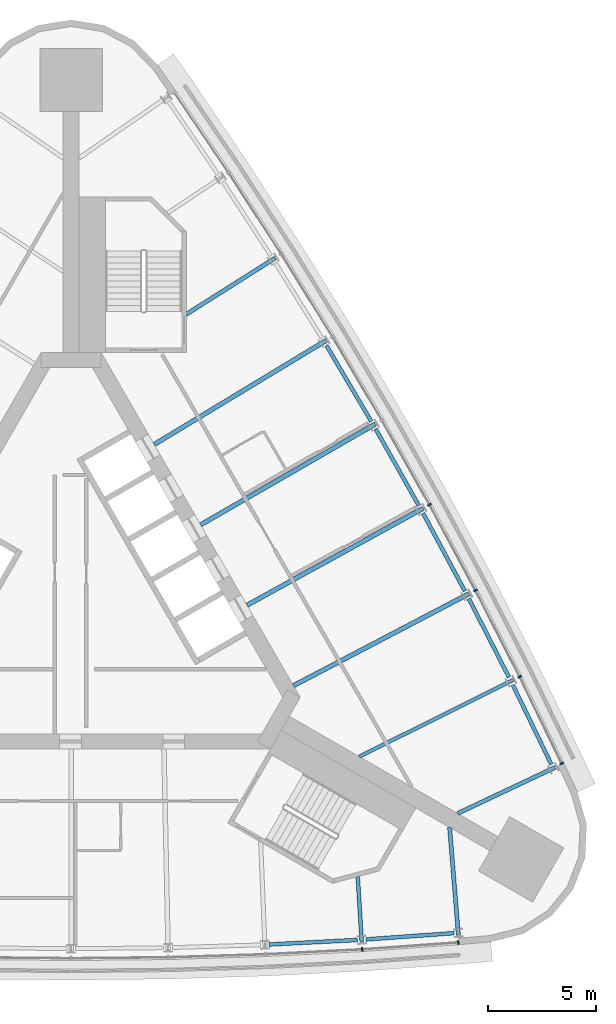
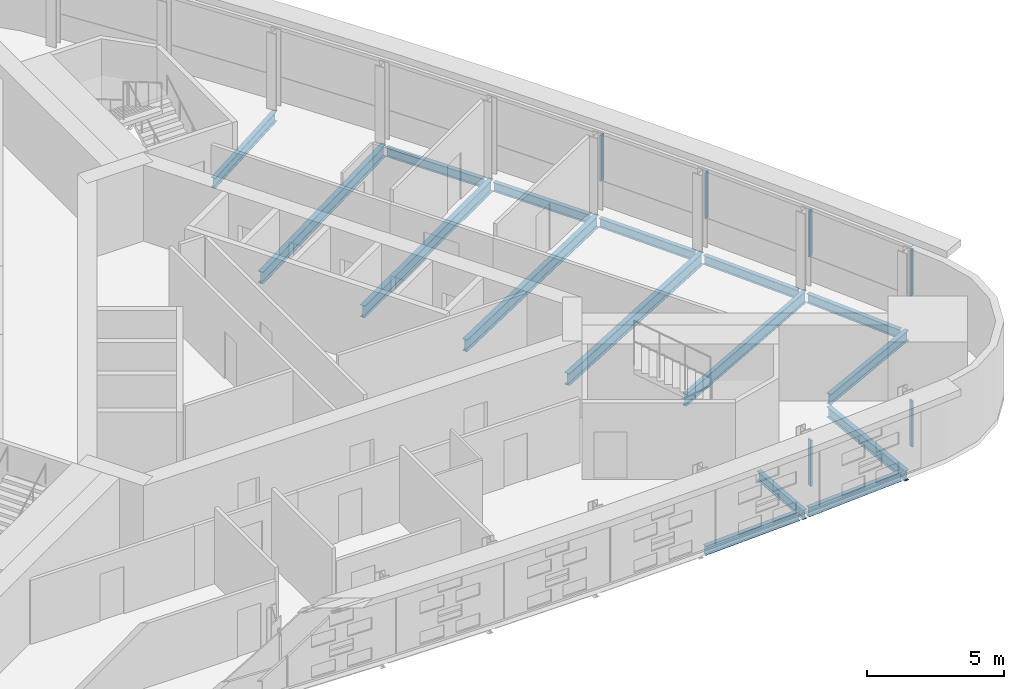
# One storey, part 5 of 13: 16 beams, 6 members, 2 elements without a shape of their own.
"""IFC4 building model written with IfcOpenShell, lengths in metres."""

from ifc_helpers import new_model, si_unit, direction, frame, origin, origin_2d, place, context, subcontext, project, spatial, rectangle, i_section, extrude, material, material_profile, profile_set, type_object, element, aggregate, save


model = new_model("IFC4")

# Units and contexts
model_context = context("Model", 3, precision=1e-05, world=origin(), true_north=direction((0.0, 1.0)))
body_context = subcontext(model_context, "Body", "Model", "MODEL_VIEW")
ifc_project = project(units=[si_unit("LENGTHUNIT", "METRE"), si_unit("AREAUNIT", "SQUARE_METRE"), si_unit("VOLUMEUNIT", "CUBIC_METRE"), si_unit("PLANEANGLEUNIT", "RADIAN"), si_unit("MASSUNIT", "GRAM", prefix="KILO")], contexts=[model_context])

# Site, building, storey
site_placement = place(None, origin())
site = spatial("IfcSite", under=ifc_project, at=site_placement, CompositionType="ELEMENT")
building_placement = place(site_placement, origin())
building = spatial("IfcBuilding", under=site, at=building_placement, Name="Noor Cloister Tower", CompositionType="ELEMENT")
storey_placement = place(building_placement, frame((0.0, 0.0, 143.699951171875)))
storey = spatial("IfcBuildingStorey", under=building, at=storey_placement, Name="L36", CompositionType="ELEMENT", Elevation=143.699951171875)

# Curtain wall, members
ifc_material_1 = material(Name="Aluminium 6063-T6 anodised", Category="aluminium")
curtain_wall_type = type_object("IfcCurtainWallType", Name="Ribbon curtain wall, upper tower CW5", PredefinedType="NOTDEFINED", material=ifc_material_1)
curtain_wall_1_placement = place(storey_placement, origin())
curtain_wall_1 = element("IfcCurtainWall", 1, at=curtain_wall_1_placement, inside=storey, type_object=curtain_wall_type, Name="CW5 L36 S run 2", PredefinedType="NOTDEFINED")
ifc_material_2 = material(Name="Aluminium 6063-T6 anodised", Category="aluminium")
ifc_material_profile_1 = material_profile(ifc_material_2, rectangle(XDim=0.179931640625, YDim=0.070068359375, at=origin_2d()), Name="180 x 70 mullion")
ifc_profile_set_1 = profile_set([ifc_material_profile_1], Name="Aluminium 6063-T6 anodised")
member_type = type_object("IfcMemberType", Name="Mullion CW5 70 x 180", PredefinedType="MULLION", material=ifc_profile_set_1)
member_1_placement = place(storey_placement, frame((13.4853515625, -16.20751953125, 1.10009765625), z_axis=(0.0, 0.0, 1.0), x_axis=(-0.061471387632, 0.99810884602, 0.0)))
member_1 = element("IfcMember", 2, at=member_1_placement, type_object=member_type, Name="CW5 mullion 8", PredefinedType="MULLION", context=body_context, shape_type="SweptSolid", body=[
    extrude(rectangle(XDim=0.179931640625, YDim=0.070068359375, at=origin_2d()), origin(), (0.0, 0.0, 1.0), 2.050048828125),
])
member_2_placement = place(storey_placement, frame((17.937744140625, -15.8876953125, 1.10009765625), z_axis=(0.0, 0.0, 1.0), x_axis=(-0.07170028816, 0.997426222173, 0.0)))
member_2 = element("IfcMember", 3, at=member_2_placement, type_object=member_type, Name="CW5 mullion 9", PredefinedType="MULLION", context=body_context, shape_type="SweptSolid", body=[
    extrude(rectangle(XDim=0.179931640625, YDim=0.070068359375, at=origin_2d()), origin(), (0.0, 0.0, 1.0), 2.050048828125),
])
aggregate(curtain_wall_1, [member_1, member_2])

curtain_wall_2_placement = place(storey_placement, origin())
curtain_wall_2 = element("IfcCurtainWall", 4, at=curtain_wall_2_placement, inside=storey, type_object=curtain_wall_type, Name="CW5 L36 NE run 3", PredefinedType="NOTDEFINED")
member_3_placement = place(storey_placement, frame((22.72802734375, -7.5908203125, 1.10009765625), z_axis=(0.0, 0.0, 1.0), x_axis=(-0.899646590882, -0.436618840081, 0.0)))
member_3 = element("IfcMember", 5, at=member_3_placement, type_object=member_type, Name="CW5 mullion 1", PredefinedType="MULLION", context=body_context, shape_type="SweptSolid", body=[
    extrude(rectangle(XDim=0.179931640625, YDim=0.070068359375, at=origin_2d()), origin(), (0.0, 0.0, 1.0), 2.050048828125),
])
member_4_placement = place(storey_placement, frame((20.77880859375, -3.57470703125, 1.10009765625), z_axis=(0.0, 0.0, 1.0), x_axis=(-0.895123310211, -0.445818639714, 0.0)))
member_4 = element("IfcMember", 6, at=member_4_placement, type_object=member_type, Name="CW5 mullion 2", PredefinedType="MULLION", context=body_context, shape_type="SweptSolid", body=[
    extrude(rectangle(XDim=0.179931640625, YDim=0.070068359375, at=origin_2d()), origin(), (0.0, 0.0, 1.0), 2.050048828125),
])
member_5_placement = place(storey_placement, frame((18.732421875, 0.4306640625, 1.10009765625), z_axis=(0.0, 0.0, 1.0), x_axis=(-0.885795011473, -0.464076715262, 0.0)))
member_5 = element("IfcMember", 7, at=member_5_placement, type_object=member_type, Name="CW5 mullion 3", PredefinedType="MULLION", context=body_context, shape_type="SweptSolid", body=[
    extrude(rectangle(XDim=0.179931640625, YDim=0.070068359375, at=origin_2d()), origin(), (0.0, 0.0, 1.0), 2.050048828125),
])
member_6_placement = place(storey_placement, frame((16.6044921875, 4.39306640625, 1.10009765625), z_axis=(0.0, 0.0, 1.0), x_axis=(-0.876094355533, -0.482139689512, 0.0)))
member_6 = element("IfcMember", 8, at=member_6_placement, type_object=member_type, Name="CW5 mullion 4", PredefinedType="MULLION", context=body_context, shape_type="SweptSolid", body=[
    extrude(rectangle(XDim=0.179931640625, YDim=0.070068359375, at=origin_2d()), origin(), (0.0, 0.0, 1.0), 2.050048828125),
])
aggregate(curtain_wall_2, [member_3, member_4, member_5, member_6])

# Beams
ifc_material_3 = material(Name="Steel ASTM A992 Gr 50", Category="steel")
ifc_material_profile_2 = material_profile(ifc_material_3, i_section(OverallWidth=0.177978515625, OverallDepth=0.406005859375, WebThickness=0.0078125, FlangeThickness=0.0126953125, FilletRadius=0.01025390625, at=origin_2d()), Name="W410x60")
ifc_profile_set_2 = profile_set([ifc_material_profile_2], Name="Steel ASTM A992 Gr 50")
beam_type_1 = type_object("IfcBeamType", Name="Radial beam W410x60", PredefinedType="BEAM", material=ifc_profile_set_2)
beam_1_placement = place(storey_placement, frame((13.46435546875, -15.865234375, -0.40283203125), z_axis=(-0.061507296189, 0.99810663384, 0.0), x_axis=(-0.99810663384, -0.061507296189, 0.0)))
element("IfcBeam", 9, at=beam_1_placement, inside=storey, type_object=beam_type_1, Name="Radial beam S 08 L36", PredefinedType="BEAM", context=body_context, shape_type="SweptSolid", body=[
    extrude(i_section(OverallWidth=0.177978515625, OverallDepth=0.406005859375, WebThickness=0.0078125, FlangeThickness=0.0126953125, FilletRadius=0.01025390625, at=origin_2d()), origin(), (0.0, 0.0, 1.0), 3.03662109375),
])
ifc_material_4 = material(Name="Steel ASTM A992 Gr 50", Category="steel")
ifc_material_profile_3 = material_profile(ifc_material_4, i_section(OverallWidth=0.19091796875, OverallDepth=0.45703125, WebThickness=0.009033203125, FlangeThickness=0.014404296875, FilletRadius=0.01025390625, at=origin_2d()), Name="W460x74")
ifc_profile_set_3 = profile_set([ifc_material_profile_3], Name="Steel ASTM A992 Gr 50")
beam_type_2 = type_object("IfcBeamType", Name="Radial beam W460x74", PredefinedType="BEAM", material=ifc_profile_set_3)
for number, where, z_axis, x_axis, name in (
    (10, (17.943603515625, -15.543212890625, -0.428466796875), (-0.081918876105, 0.996639000711, 0.0), (-0.996639000711, -0.081918876105, 0.0), "Radial beam S 09 L36"),
    (11, (22.4326171875, -7.767822265625, -0.428466796875), (-0.90406541137, -0.427394117841, 0.0), (0.427394117841, -0.90406541137, 0.0), "Radial beam NE 01 L36"),
):
    element("IfcBeam", number, at=place(storey_placement, frame(where, z_axis=z_axis, x_axis=x_axis)), inside=storey, type_object=beam_type_2, Name=name, PredefinedType="BEAM", context=body_context, shape_type="SweptSolid", body=[
        extrude(i_section(OverallWidth=0.19091796875, OverallDepth=0.45703125, WebThickness=0.009033203125, FlangeThickness=0.014404296875, FilletRadius=0.01025390625, at=origin_2d()), origin(), (0.0, 0.0, 1.0), 5.00390625),
    ])
beam_2_placement = place(storey_placement, frame((9.449462890625, 15.823974609375, -0.428466796875), z_axis=(-0.844811521097, -0.535064009089, 0.0), x_axis=(0.535064009089, -0.844811521097, 0.0)))
element("IfcBeam", 12, at=beam_2_placement, inside=storey, type_object=beam_type_2, Name="Radial beam NE 07 L36", PredefinedType="BEAM", context=body_context, shape_type="SweptSolid", body=[
    extrude(i_section(OverallWidth=0.19091796875, OverallDepth=0.45703125, WebThickness=0.009033203125, FlangeThickness=0.014404296875, FilletRadius=0.01025390625, at=origin_2d()), origin(), (0.0, 0.0, 1.0), 4.869384765625),
])
ifc_material_5 = material(Name="Steel ASTM A992 Gr 50", Category="steel")
ifc_material_profile_4 = material_profile(ifc_material_5, i_section(OverallWidth=0.166015625, OverallDepth=0.528076171875, WebThickness=0.009765625, FlangeThickness=0.013671875, FilletRadius=0.0126953125, at=origin_2d()), Name="W530x74")
ifc_profile_set_4 = profile_set([ifc_material_profile_4], Name="Steel ASTM A992 Gr 50")
beam_type_3 = type_object("IfcBeamType", Name="Radial beam W530x74", PredefinedType="BEAM", material=ifc_profile_set_4)
beam_3_placement = place(storey_placement, frame((20.471923828125, -3.727783203125, -0.4638671875), z_axis=(-0.895131847729, -0.445801497508, 0.0), x_axis=(0.445801497508, -0.895131847729, 0.0)))
element("IfcBeam", 13, at=beam_3_placement, inside=storey, type_object=beam_type_3, Name="Radial beam NE 02 L36", PredefinedType="BEAM", context=body_context, shape_type="SweptSolid", body=[
    extrude(i_section(OverallWidth=0.166015625, OverallDepth=0.528076171875, WebThickness=0.009765625, FlangeThickness=0.013671875, FilletRadius=0.0126953125, at=origin_2d()), origin(), (0.0, 0.0, 1.0), 7.9560546875),
])
ifc_material_6 = material(Name="Steel ASTM A992 Gr 50", Category="steel")
ifc_material_profile_5 = material_profile(ifc_material_6, i_section(OverallWidth=0.208984375, OverallDepth=0.532958984375, WebThickness=0.01025390625, FlangeThickness=0.015625, FilletRadius=0.0126953125, at=origin_2d()), Name="W530x92")
ifc_profile_set_5 = profile_set([ifc_material_profile_5], Name="Steel ASTM A992 Gr 50")
beam_type_4 = type_object("IfcBeamType", Name="Radial beam W530x92", PredefinedType="BEAM", material=ifc_profile_set_5)
beam_4_placement = place(storey_placement, frame((18.4287109375, 0.271484375, -0.466552734375), z_axis=(-0.885788824469, -0.464088524364, 0.0), x_axis=(0.464088524364, -0.885788824469, 0.0)))
element("IfcBeam", 14, at=beam_4_placement, inside=storey, type_object=beam_type_4, Name="Radial beam NE 03 L36", PredefinedType="BEAM", context=body_context, shape_type="SweptSolid", body=[
    extrude(i_section(OverallWidth=0.208984375, OverallDepth=0.532958984375, WebThickness=0.01025390625, FlangeThickness=0.015625, FilletRadius=0.0126953125, at=origin_2d()), origin(), (0.0, 0.0, 1.0), 9.175048828125),
])
beam_5_placement = place(storey_placement, frame((16.303955078125, 4.227783203125, -0.466552734375), z_axis=(-0.876099025266, -0.48213120406, 0.0), x_axis=(0.48213120406, -0.876099025266, 0.0)))
element("IfcBeam", 15, at=beam_5_placement, inside=storey, type_object=beam_type_4, Name="Radial beam NE 04 L36", PredefinedType="BEAM", context=body_context, shape_type="SweptSolid", body=[
    extrude(i_section(OverallWidth=0.208984375, OverallDepth=0.532958984375, WebThickness=0.01025390625, FlangeThickness=0.015625, FilletRadius=0.0126953125, at=origin_2d()), origin(), (0.0, 0.0, 1.0), 9.30712890625),
])
beam_6_placement = place(storey_placement, frame((14.098388671875, 8.1396484375, -0.466552734375), z_axis=(-0.866028634529, -0.499994404144, 0.0), x_axis=(0.499994404144, -0.866028634529, 0.0)))
element("IfcBeam", 16, at=beam_6_placement, inside=storey, type_object=beam_type_4, Name="Radial beam NE 05 L36", PredefinedType="BEAM", context=body_context, shape_type="SweptSolid", body=[
    extrude(i_section(OverallWidth=0.208984375, OverallDepth=0.532958984375, WebThickness=0.01025390625, FlangeThickness=0.015625, FilletRadius=0.0126953125, at=origin_2d()), origin(), (0.0, 0.0, 1.0), 9.35107421875),
])
beam_7_placement = place(storey_placement, frame((11.813232421875, 12.005615234375, -0.466552734375), z_axis=(-0.855591496874, -0.517651611102, 0.0), x_axis=(0.517651611102, -0.855591496874, 0.0)))
element("IfcBeam", 17, at=beam_7_placement, inside=storey, type_object=beam_type_4, Name="Radial beam NE 06 L36", PredefinedType="BEAM", context=body_context, shape_type="SweptSolid", body=[
    extrude(i_section(OverallWidth=0.208984375, OverallDepth=0.532958984375, WebThickness=0.01025390625, FlangeThickness=0.015625, FilletRadius=0.0126953125, at=origin_2d()), origin(), (0.0, 0.0, 1.0), 9.30712890625),
])
ifc_material_7 = material(Name="Steel ASTM A992 Gr 50", Category="steel")
ifc_material_profile_6 = material_profile(ifc_material_7, i_section(OverallWidth=0.177978515625, OverallDepth=0.406005859375, WebThickness=0.0078125, FlangeThickness=0.0126953125, FilletRadius=0.01025390625, at=origin_2d()), Name="W410x60")
ifc_profile_set_6 = profile_set([ifc_material_profile_6], Name="Steel ASTM A992 Gr 50")
beam_type_5 = type_object("IfcBeamType", Name="Spandrel beam W410x60", PredefinedType="SPANDREL", material=ifc_profile_set_6)
beam_8_placement = place(storey_placement, frame((9.174072265625, -15.978271484375, -0.40283203125), z_axis=(0.998687506896, 0.051217805195, 0.0), x_axis=(-0.051217805195, 0.998687506896, 0.0)))
element("IfcBeam", 18, at=beam_8_placement, inside=storey, type_object=beam_type_5, Name="Spandrel beam S 07 L36", PredefinedType="SPANDREL", context=body_context, shape_type="SweptSolid", body=[
    extrude(i_section(OverallWidth=0.177978515625, OverallDepth=0.406005859375, WebThickness=0.0078125, FlangeThickness=0.0126953125, FilletRadius=0.01025390625, at=origin_2d()), origin(), (0.0, 0.0, 1.0), 4.08984375),
])
beam_9_placement = place(storey_placement, frame((13.65673828125, -15.744140625, -0.40283203125), z_axis=(0.997426476939, 0.071696744003, 0.0), x_axis=(-0.071696744003, 0.997426476939, 0.0)))
element("IfcBeam", 19, at=beam_9_placement, inside=storey, type_object=beam_type_5, Name="Spandrel beam S 08 L36", PredefinedType="SPANDREL", context=body_context, shape_type="SweptSolid", body=[
    extrude(i_section(OverallWidth=0.177978515625, OverallDepth=0.406005859375, WebThickness=0.0078125, FlangeThickness=0.0126953125, FilletRadius=0.01025390625, at=origin_2d()), origin(), (0.0, 0.0, 1.0), 4.089599609375),
])
beam_10_placement = place(storey_placement, frame((22.248779296875, -7.63427734375, -0.40283203125), z_axis=(-0.436604481066, 0.899653559495, 0.0), x_axis=(-0.899653559495, -0.436604481066, 0.0)))
element("IfcBeam", 20, at=beam_10_placement, inside=storey, type_object=beam_type_5, Name="Spandrel beam NE 01 L36", PredefinedType="SPANDREL", context=body_context, shape_type="SweptSolid", body=[
    extrude(i_section(OverallWidth=0.177978515625, OverallDepth=0.406005859375, WebThickness=0.0078125, FlangeThickness=0.0126953125, FilletRadius=0.01025390625, at=origin_2d()), origin(), (0.0, 0.0, 1.0), 4.08984375),
])
beam_11_placement = place(storey_placement, frame((20.285400390625, -3.597900390625, -0.40283203125), z_axis=(-0.455004823402, 0.890488972801, 0.0), x_axis=(-0.890488972801, -0.455004823402, 0.0)))
element("IfcBeam", 21, at=beam_11_placement, inside=storey, type_object=beam_type_5, Name="Spandrel beam NE 02 L36", PredefinedType="SPANDREL", context=body_context, shape_type="SweptSolid", body=[
    extrude(i_section(OverallWidth=0.177978515625, OverallDepth=0.406005859375, WebThickness=0.0078125, FlangeThickness=0.0126953125, FilletRadius=0.01025390625, at=origin_2d()), origin(), (0.0, 0.0, 1.0), 4.089599609375),
])
beam_12_placement = place(storey_placement, frame((18.239501953125, 0.3974609375, -0.40283203125), z_axis=(-0.473145514106, 0.880984291847, 0.0), x_axis=(-0.880984291847, -0.473145514106, 0.0)))
element("IfcBeam", 22, at=beam_12_placement, inside=storey, type_object=beam_type_5, Name="Spandrel beam NE 03 L36", PredefinedType="SPANDREL", context=body_context, shape_type="SweptSolid", body=[
    extrude(i_section(OverallWidth=0.177978515625, OverallDepth=0.406005859375, WebThickness=0.0078125, FlangeThickness=0.0126953125, FilletRadius=0.01025390625, at=origin_2d()), origin(), (0.0, 0.0, 1.0), 4.08984375),
])
for number, where, z_axis, x_axis, name in (
    (23, (16.1123046875, 4.349853515625, -0.40283203125), (-0.491122612788, 0.871090454091, 0.0), (-0.871090454091, -0.491122612788, 0.0), "Spandrel beam NE 04 L36"),
    (24, (13.904296875, 8.258056640625, -0.40283203125), (-0.508866071809, 0.860845701018, 0.0), (-0.860845701018, -0.508866071809, 0.0), "Spandrel beam NE 05 L36"),
):
    element("IfcBeam", number, at=place(storey_placement, frame(where, z_axis=z_axis, x_axis=x_axis)), inside=storey, type_object=beam_type_5, Name=name, PredefinedType="SPANDREL", context=body_context, shape_type="SweptSolid", body=[
        extrude(i_section(OverallWidth=0.177978515625, OverallDepth=0.406005859375, WebThickness=0.0078125, FlangeThickness=0.0126953125, FilletRadius=0.01025390625, at=origin_2d()), origin(), (0.0, 0.0, 1.0), 4.089599609375),
    ])

save(model, "model.ifc")
